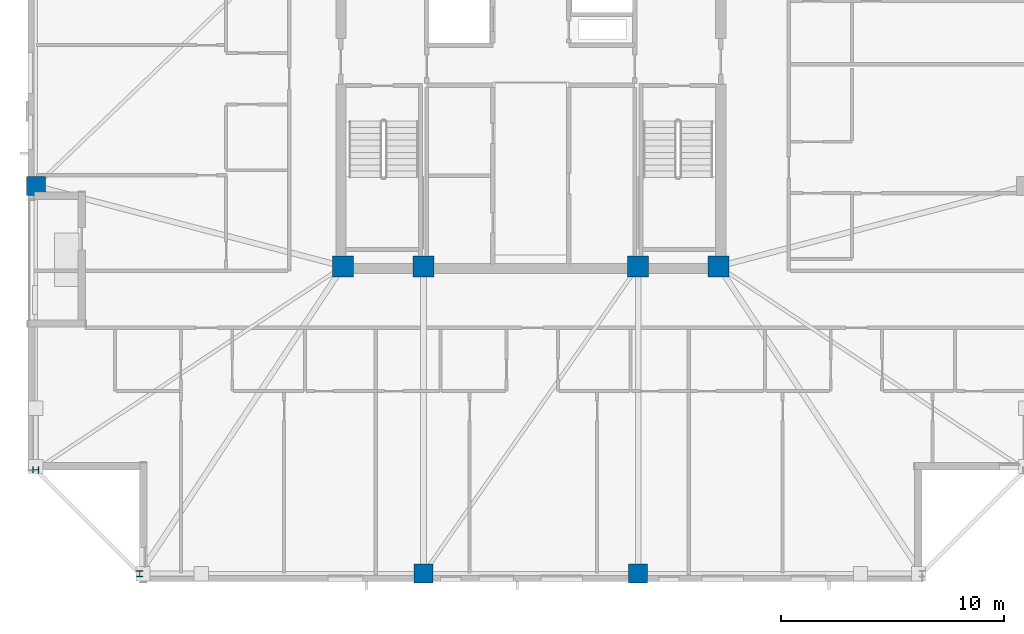
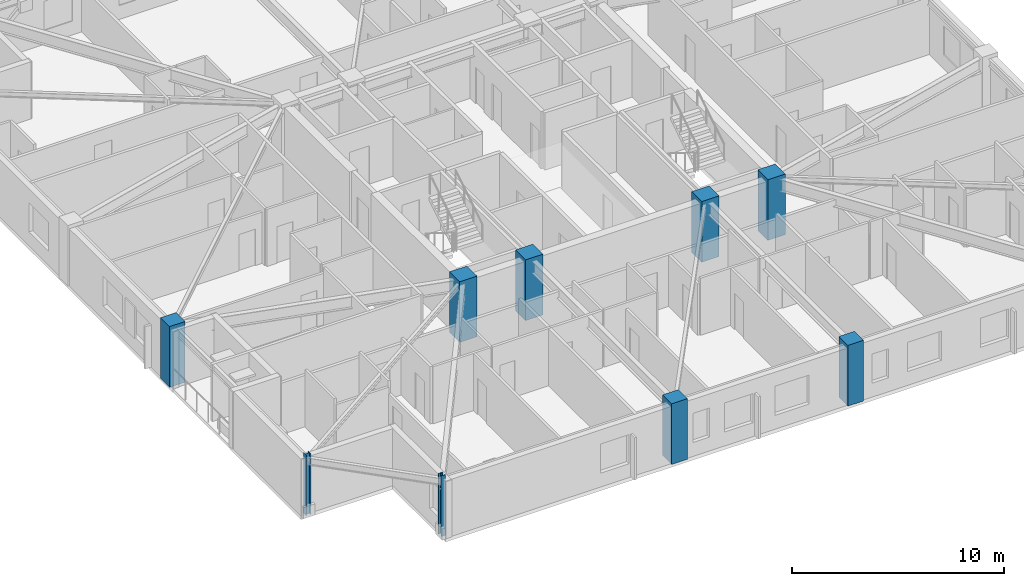
# One storey, part 1 of 16: 9 columns.
"""IFC4 building model written with IfcOpenShell, lengths in metres."""

from ifc_helpers import new_model, si_unit, direction, frame, origin, origin_2d, place, context, subcontext, project, spatial, rectangle, i_section, extrude, material, material_profile, profile_set, type_object, element, save


model = new_model("IFC4")

# Units and contexts
model_context = context("Model", 3, precision=1e-05, world=origin(), true_north=direction((0.0, 1.0)))
body_context = subcontext(model_context, "Body", "Model", "MODEL_VIEW")
ifc_project = project(units=[si_unit("LENGTHUNIT", "METRE"), si_unit("AREAUNIT", "SQUARE_METRE"), si_unit("VOLUMEUNIT", "CUBIC_METRE"), si_unit("PLANEANGLEUNIT", "RADIAN"), si_unit("MASSUNIT", "GRAM", prefix="KILO")], contexts=[model_context])

# Site, building, storey
site_placement = place(None, origin())
site = spatial("IfcSite", under=ifc_project, at=site_placement, CompositionType="ELEMENT")
building_placement = place(site_placement, origin())
building = spatial("IfcBuilding", under=site, at=building_placement, Name="Cairnveth Concourse Tower", CompositionType="ELEMENT")
storey_placement = place(building_placement, frame((0.0, 0.0, 255.0)))
storey = spatial("IfcBuildingStorey", under=building, at=storey_placement, Name="L70", CompositionType="ELEMENT", Elevation=255.0)

# Columns
ifc_material_1 = material(Name="Concrete N65 (65 MPa)", Category="concrete")
ifc_material_profile_1 = material_profile(ifc_material_1, rectangle(XDim=0.949951171875, YDim=0.949951171875, at=origin_2d()), Name="RC-COL-950x950")
ifc_profile_set_1 = profile_set([ifc_material_profile_1], Name="Concrete N65 (65 MPa)")
column_type_1 = type_object("IfcColumnType", Name="CORE COLUMN 950X950", PredefinedType="COLUMN", material=ifc_profile_set_1)
for number, where, z_axis, x_axis, name in (
    (1, (43.60009765625, 30.60009765625, 0.0), (0.0, 0.0, 1.0), (1.0, 0.0, 0.0), "Column CC1 L70"),
    (2, (47.199951171875, 30.60009765625, 0.0), (0.0, 0.0, 1.0), (1.0, 0.0, 0.0), "Column CC2 L70"),
    (3, (56.800048828125, 30.60009765625, 0.0), (0.0, 0.0, 1.0), (1.0, 0.0, 0.0), "Column CC3 L70"),
    (4, (60.39990234375, 30.60009765625, 0.0), (0.0, 0.0, 1.0), (1.0, 0.0, 0.0), "Column CC4 L70"),
):
    element("IfcColumn", number, at=place(storey_placement, frame(where, z_axis=z_axis, x_axis=x_axis)), inside=storey, type_object=column_type_1, Name=name, PredefinedType="COLUMN", context=body_context, shape_type="SweptSolid", body=[
        extrude(rectangle(XDim=0.949951171875, YDim=0.949951171875, at=origin_2d()), origin(), (0.0, 0.0, 1.0), 3.5),
    ])
ifc_material_profile_2 = material_profile(ifc_material_1, rectangle(XDim=0.85009765625, YDim=0.85009765625, at=origin_2d()), Name="RC-COL-850x850")
ifc_profile_set_2 = profile_set([ifc_material_profile_2], Name="Concrete N65 (65 MPa)")
column_type_2 = type_object("IfcColumnType", Name="PERIMETER PIER COLUMN 850X850", PredefinedType="COLUMN", material=ifc_profile_set_2)
for number, where, z_axis, x_axis, name in (
    (5, (47.199951171875, 16.85009765625, 0.0), (0.0, 0.0, 1.0), (1.0, 0.0, 0.0), "Column P-S2 L70"),
    (6, (56.800048828125, 16.85009765625, 0.0), (0.0, 0.0, 1.0), (1.0, 0.0, 0.0), "Column P-S3 L70"),
    (7, (29.85009765625, 34.199951171875, 0.0), (0.0, 0.0, 1.0), (0.0, 1.0, 0.0), "Column P-W3 L70"),
):
    element("IfcColumn", number, at=place(storey_placement, frame(where, z_axis=z_axis, x_axis=x_axis)), inside=storey, type_object=column_type_2, Name=name, PredefinedType="COLUMN", context=body_context, shape_type="SweptSolid", body=[
        extrude(rectangle(XDim=0.85009765625, YDim=0.85009765625, at=origin_2d()), origin(), (0.0, 0.0, 1.0), 3.5),
    ])
ifc_material_2 = material(Name="Steel Grade 350", Category="steel")
ifc_material_profile_3 = material_profile(ifc_material_2, i_section(OverallWidth=0.256103515625, OverallDepth=0.260009765625, WebThickness=0.010498046875, FlangeThickness=0.017333984375, FilletRadius=0.012939453125, at=origin_2d()), Name="250UC89.5")
ifc_profile_set_3 = profile_set([ifc_material_profile_3], Name="Steel Grade 350")
column_type_3 = type_object("IfcColumnType", Name="UNIVERSAL STEEL COLUMN 250UC89.5", PredefinedType="COLUMN", material=ifc_profile_set_3)
for number, where, z_axis, x_axis, name in (
    (8, (34.5, 16.85009765625, 0.0), (0.0, 0.0, 1.0), (1.0, 0.0, 0.0), "Column P-S1 L70"),
    (9, (29.85009765625, 21.5, 0.0), (0.0, 0.0, 1.0), (0.0, 1.0, 0.0), "Column P-W4 L70"),
):
    element("IfcColumn", number, at=place(storey_placement, frame(where, z_axis=z_axis, x_axis=x_axis)), inside=storey, type_object=column_type_3, Name=name, PredefinedType="COLUMN", context=body_context, shape_type="SweptSolid", body=[
        extrude(i_section(OverallWidth=0.256103515625, OverallDepth=0.260009765625, WebThickness=0.010498046875, FlangeThickness=0.017333984375, FilletRadius=0.012939453125, at=origin_2d()), origin(), (0.0, 0.0, 1.0), 3.5),
    ])

save(model, "model.ifc")
